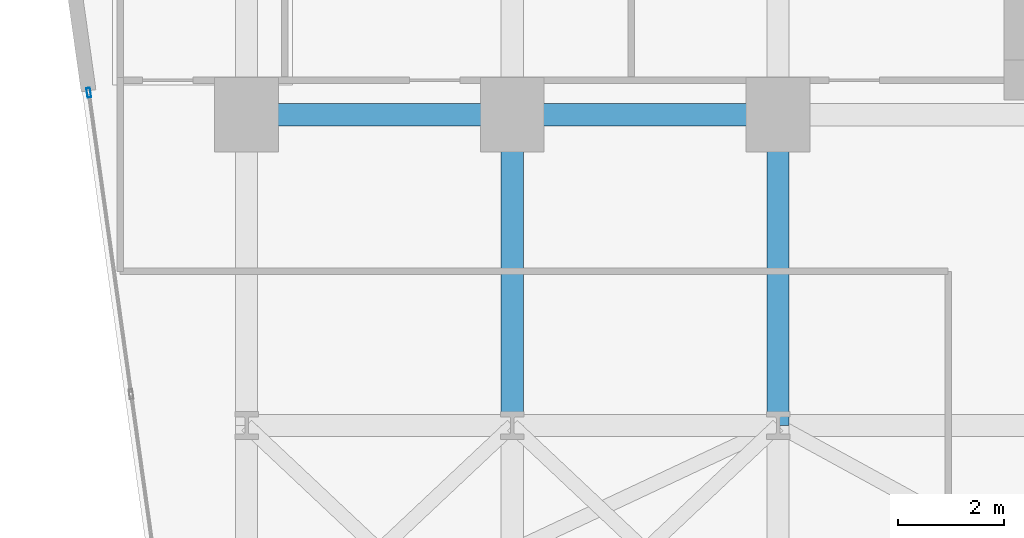
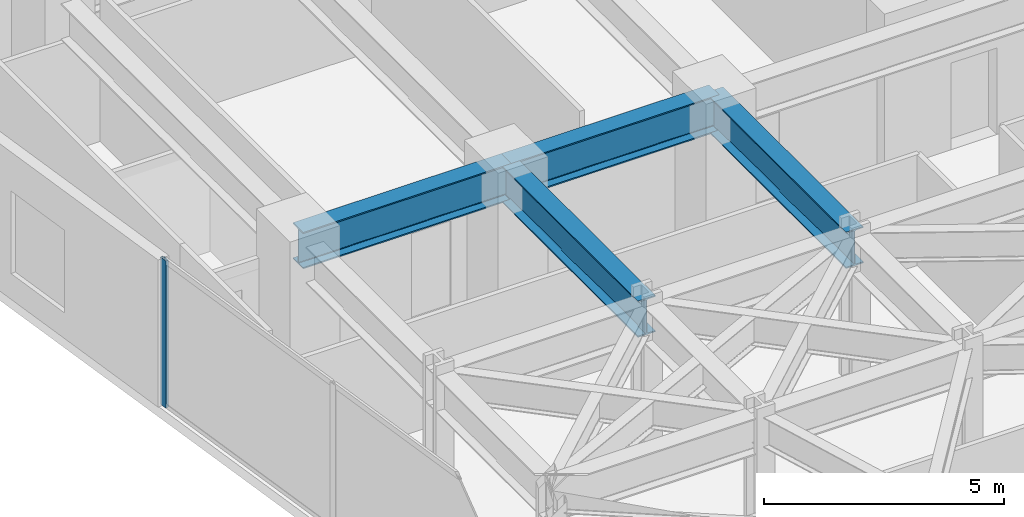
# One storey, part 17 of 25: 4 beams, 1 member, 1 element without a shape of its own.
"""IFC4 building model written with IfcOpenShell, lengths in metres."""

from ifc_helpers import new_model, si_unit, direction, frame, origin, origin_2d, place, context, subcontext, project, spatial, hollow_rectangle, i_section, extrude, material, layer, layer_set, material_profile, profile_set, type_object, element, aggregate, save


model = new_model("IFC4")

# Units and contexts
model_context = context("Model", 3, precision=1e-05, world=origin(), true_north=direction((0.0, 1.0)))
body_context = subcontext(model_context, "Body", "Model", "MODEL_VIEW")
ifc_project = project(units=[si_unit("LENGTHUNIT", "METRE"), si_unit("AREAUNIT", "SQUARE_METRE"), si_unit("VOLUMEUNIT", "CUBIC_METRE"), si_unit("PLANEANGLEUNIT", "RADIAN"), si_unit("MASSUNIT", "GRAM", prefix="KILO")], contexts=[model_context])

# Site, building, storey
site_placement = place(None, origin())
site = spatial("IfcSite", under=ifc_project, at=site_placement, CompositionType="ELEMENT")
building_placement = place(site_placement, origin())
building = spatial("IfcBuilding", under=site, at=building_placement, Name="Kravanh Interchange Tower", CompositionType="ELEMENT")
storey_placement = place(building_placement, frame((0.0, 0.0, 41.5)))
storey = spatial("IfcBuildingStorey", under=building, at=storey_placement, Name="L09", CompositionType="ELEMENT", Elevation=41.5)

# Curtain wall, member
ifc_material_1 = material(Name="Anodised Bronze Aluminium", Category="aluminium")
ifc_layer = layer(ifc_material_1, 0.179931640625)
ifc_layer_set = layer_set([ifc_layer], Name="Unitised Curtain Wall System CW-Z1 Lower Office")
curtain_wall_type = type_object("IfcCurtainWallType", Name="Unitised Curtain Wall System CW-Z1 Lower Office", PredefinedType="NOTDEFINED", material=ifc_layer_set)
curtain_wall_placement = place(storey_placement, origin())
curtain_wall = element("IfcCurtainWall", 1, at=curtain_wall_placement, inside=storey, type_object=curtain_wall_type, Name="L09 Unitised Curtain Wall CW-L09-01", PredefinedType="NOTDEFINED")
ifc_material_2 = material(Name="Anodised Bronze Aluminium", Category="aluminium")
ifc_material_profile_1 = material_profile(ifc_material_2, hollow_rectangle(XDim=0.070068359375, YDim=0.179931640625, WallThickness=0.00390625, at=origin_2d()), Name="ALU70X180X4")
ifc_profile_set_1 = profile_set([ifc_material_profile_1], Name="Anodised Bronze Aluminium")
member_type = type_object("IfcMemberType", Name="Curtain Wall Mullion ALU70X180X4 Bronze", PredefinedType="MULLION", material=ifc_profile_set_1)
member_placement = place(storey_placement, frame((5.6298828125, 37.765380859375, 0.0), z_axis=(0.0, 0.0, 1.0), x_axis=(-0.990267585682, -0.139176538065, 0.0)))
member = element("IfcMember", 2, at=member_placement, type_object=member_type, Name="CW-Z1 mullion 7", PredefinedType="MULLION", context=body_context, shape_type="SweptSolid", body=[
    extrude(hollow_rectangle(XDim=0.070068359375, YDim=0.179931640625, WallThickness=0.00390625, at=origin_2d()), origin(), (0.0, 0.0, 1.0), 3.739990234375),
])
aggregate(curtain_wall, [member])

# Beams
ifc_material_3 = material(Name="Structural Steel S355", Category="steel")
ifc_material_profile_2 = material_profile(ifc_material_3, i_section(OverallWidth=0.41796875, OverallDepth=0.927001953125, WebThickness=0.019287109375, FlangeThickness=0.031982421875, FilletRadius=0.028076171875, at=origin_2d()), Name="W36X231")
ifc_profile_set_2 = profile_set([ifc_material_profile_2], Name="Structural Steel S355")
beam_type = type_object("IfcBeamType", Name="Floor Beam W36X231 Structural Steel S355", PredefinedType="BEAM", material=ifc_profile_set_2)
beam_1_placement = place(storey_placement, frame((18.60009765625, 37.35009765625, 3.276611328125), z_axis=(-1.0, 0.0, 0.0), x_axis=(0.0, -1.0, 0.0)))
element("IfcBeam", 3, at=beam_1_placement, inside=storey, type_object=beam_type, Name="L09 Primary Floor Girder 28", PredefinedType="BEAM", context=body_context, shape_type="SweptSolid", body=[
    extrude(i_section(OverallWidth=0.41796875, OverallDepth=0.927001953125, WebThickness=0.019287109375, FlangeThickness=0.031982421875, FilletRadius=0.028076171875, at=origin_2d()), origin(), (0.0, 0.0, 1.0), 5.0),
])
beam_2_placement = place(storey_placement, frame((18.60009765625, 37.35009765625, 3.276611328125), z_axis=(0.0, -1.0, 0.0), x_axis=(1.0, 0.0, 0.0)))
element("IfcBeam", 4, at=beam_2_placement, inside=storey, type_object=beam_type, Name="L09 Primary Floor Girder 29", PredefinedType="BEAM", context=body_context, shape_type="SweptSolid", body=[
    extrude(i_section(OverallWidth=0.41796875, OverallDepth=0.927001953125, WebThickness=0.019287109375, FlangeThickness=0.031982421875, FilletRadius=0.028076171875, at=origin_2d()), origin(), (0.0, 0.0, 1.0), 5.85009765625),
])
beam_3_placement = place(storey_placement, frame((13.60009765625, 37.35009765625, 3.276611328125), z_axis=(-1.0, 0.0, 0.0), x_axis=(0.0, -1.0, 0.0)))
element("IfcBeam", 5, at=beam_3_placement, inside=storey, type_object=beam_type, Name="L09 Primary Floor Girder 32", PredefinedType="BEAM", context=body_context, shape_type="SweptSolid", body=[
    extrude(i_section(OverallWidth=0.41796875, OverallDepth=0.927001953125, WebThickness=0.019287109375, FlangeThickness=0.031982421875, FilletRadius=0.028076171875, at=origin_2d()), origin(), (0.0, 0.0, 1.0), 5.0),
])
beam_4_placement = place(storey_placement, frame((13.60009765625, 37.35009765625, 3.276611328125), z_axis=(0.0, -1.0, 0.0), x_axis=(1.0, 0.0, 0.0)))
element("IfcBeam", 6, at=beam_4_placement, inside=storey, type_object=beam_type, Name="L09 Primary Floor Girder 33", PredefinedType="BEAM", context=body_context, shape_type="SweptSolid", body=[
    extrude(i_section(OverallWidth=0.41796875, OverallDepth=0.927001953125, WebThickness=0.019287109375, FlangeThickness=0.031982421875, FilletRadius=0.028076171875, at=origin_2d()), origin(), (0.0, 0.0, 1.0), 5.85009765625),
])

save(model, "model.ifc")
